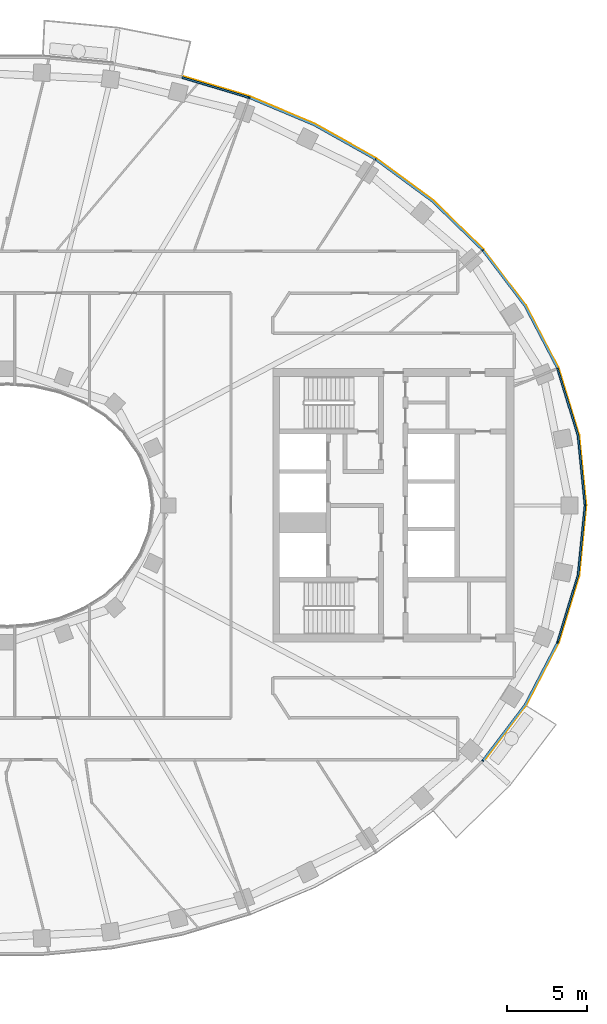
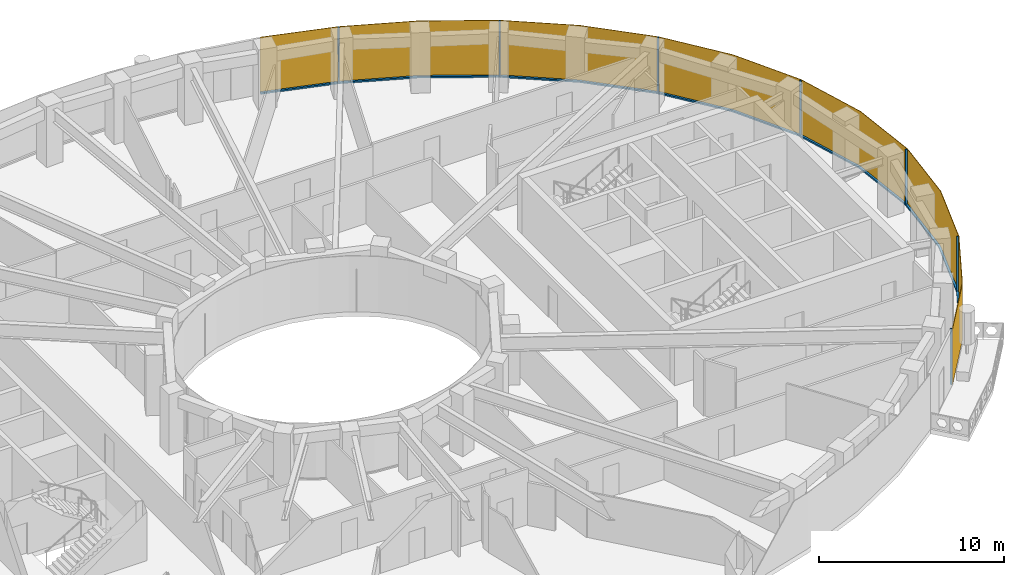
# One storey, part 13 of 16: 14 members, 1 curtain wall.
"""IFC4 building model written with IfcOpenShell, lengths in metres."""

from ifc_helpers import new_model, si_unit, direction, frame, origin, origin_2d, place, context, subcontext, project, spatial, polyline, rectangle, outline, extrude, material, layer, layer_set, material_profile, profile_set, type_object, element, aggregate, save


model = new_model("IFC4")

# Units and contexts
model_context = context("Model", 3, precision=1e-05, world=origin(), true_north=direction((0.0, 1.0)))
body_context = subcontext(model_context, "Body", "Model", "MODEL_VIEW")
ifc_project = project(units=[si_unit("LENGTHUNIT", "METRE"), si_unit("AREAUNIT", "SQUARE_METRE"), si_unit("VOLUMEUNIT", "CUBIC_METRE"), si_unit("PLANEANGLEUNIT", "RADIAN"), si_unit("MASSUNIT", "GRAM", prefix="KILO")], contexts=[model_context])

# Member
ifc_material_1 = material(Name="Aluminium 6063-T6 black anodised", Category="aluminium")
ifc_material_profile = material_profile(ifc_material_1, rectangle(XDim=0.1201171875, YDim=0.06005859375, at=origin_2d()), Name="120x60")
ifc_profile_set = profile_set([ifc_material_profile], Name="Aluminium 6063-T6 black anodised")
member_type_1 = type_object("IfcMemberType", Name="ENV-MULLION-A-120", PredefinedType="MULLION", material=ifc_profile_set)
site_placement = place(None, origin())
building_placement = place(site_placement, origin())
storey_placement = place(building_placement, frame((0.0, 0.0, 273.5)))
member_1_placement = place(storey_placement, frame((29.53857421875, -15.8671875, 0.0), z_axis=(0.0, 0.0, 1.0), x_axis=(-0.749047221705, 0.662516610853, 0.0)))
member_1 = element("IfcMember", 1, at=member_1_placement, type_object=member_type_1, Name="Mullion A radial 43", PredefinedType="MULLION", context=body_context, shape_type="SweptSolid", body=[
    extrude(rectangle(XDim=0.1201171875, YDim=0.06005859375, at=origin_2d()), origin(), (0.0, 0.0, 1.0), 3.699951171875),
])

member_2_placement = place(storey_placement, frame((34.19580078125, -8.513916015625, 0.0), z_axis=(0.0, 0.0, 1.0), x_axis=(-0.92546738067, 0.378827305398, 0.0)))
member_2 = element("IfcMember", 2, at=member_2_placement, type_object=member_type_1, Name="Mullion A radial 45", PredefinedType="MULLION", context=body_context, shape_type="SweptSolid", body=[
    extrude(rectangle(XDim=0.1201171875, YDim=0.06005859375, at=origin_2d()), origin(), (0.0, 0.0, 1.0), 3.699951171875),
])

member_3_placement = place(storey_placement, frame((35.907958984375, 0.0, 0.0), z_axis=(0.0, 0.0, 1.0), x_axis=(-1.0, 0.0, 0.0)))
member_3 = element("IfcMember", 3, at=member_3_placement, type_object=member_type_1, Name="Mullion A radial 01", PredefinedType="MULLION", context=body_context, shape_type="SweptSolid", body=[
    extrude(rectangle(XDim=0.1201171875, YDim=0.06005859375, at=origin_2d()), origin(), (0.0, 0.0, 1.0), 3.699951171875),
])

member_4_placement = place(storey_placement, frame((34.19580078125, 8.513916015625, 0.0), z_axis=(0.0, 0.0, 1.0), x_axis=(-0.92546738067, -0.378827305398, 0.0)))
member_4 = element("IfcMember", 4, at=member_4_placement, type_object=member_type_1, Name="Mullion A radial 03", PredefinedType="MULLION", context=body_context, shape_type="SweptSolid", body=[
    extrude(rectangle(XDim=0.1201171875, YDim=0.06005859375, at=origin_2d()), origin(), (0.0, 0.0, 1.0), 3.699951171875),
])

member_5_placement = place(storey_placement, frame((29.53857421875, 15.8671875, 0.0), z_axis=(0.0, 0.0, 1.0), x_axis=(-0.749047221705, -0.662516610853, 0.0)))
member_5 = element("IfcMember", 5, at=member_5_placement, type_object=member_type_1, Name="Mullion A radial 05", PredefinedType="MULLION", context=body_context, shape_type="SweptSolid", body=[
    extrude(rectangle(XDim=0.1201171875, YDim=0.06005859375, at=origin_2d()), origin(), (0.0, 0.0, 1.0), 3.699951171875),
])

member_6_placement = place(storey_placement, frame((22.882568359375, 21.506591796875, 0.0), z_axis=(0.0, 0.0, 1.0), x_axis=(-0.542279153225, -0.840198381323, 0.0)))
member_6 = element("IfcMember", 6, at=member_6_placement, type_object=member_type_1, Name="Mullion A radial 07", PredefinedType="MULLION", context=body_context, shape_type="SweptSolid", body=[
    extrude(rectangle(XDim=0.1201171875, YDim=0.06005859375, at=origin_2d()), origin(), (0.0, 0.0, 1.0), 3.699951171875),
])

member_7_placement = place(storey_placement, frame((15.0341796875, 25.34375, 0.0), z_axis=(0.0, 0.0, 1.0), x_axis=(-0.338379256581, -0.941009818608, 0.0)))
member_7 = element("IfcMember", 7, at=member_7_placement, type_object=member_type_1, Name="Mullion A radial 09", PredefinedType="MULLION", context=body_context, shape_type="SweptSolid", body=[
    extrude(rectangle(XDim=0.1201171875, YDim=0.06005859375, at=origin_2d()), origin(), (0.0, 0.0, 1.0), 3.699951171875),
])

ifc_material_2 = material(Name="Aluminium 6063-T6 black anodised", Category="aluminium")
member_type_2 = type_object("IfcMemberType", Name="ENV-TRANSOM-A", PredefinedType="USERDEFINED", material=ifc_material_2)
member_8_placement = place(storey_placement, origin())
member_8 = element("IfcMember", 8, at=member_8_placement, type_object=member_type_2, Name="Transom A radial 43-45", ObjectType="TRANSOM", PredefinedType="USERDEFINED", context=body_context, shape_type="SweptSolid", body=[
    extrude(outline(polyline([(29.6005859375, -15.884521484375), (32.22802734375, -12.41748046875), (34.23828125, -8.5615234375), (34.126708984375, -8.515869140625), (32.126220703125, -12.35302734375), (29.51025390625, -15.8046875), (29.6005859375, -15.884521484375)])), origin(), (0.0, 0.0, 1.0), 0.10009765625),
])

member_9_placement = place(storey_placement, origin())
member_9 = element("IfcMember", 9, at=member_9_placement, type_object=member_type_2, Name="Transom A radial 45-01", ObjectType="TRANSOM", PredefinedType="USERDEFINED", context=body_context, shape_type="SweptSolid", body=[
    extrude(outline(polyline([(34.259521484375, -8.509765625), (35.529541015625, -4.352294921875), (35.965087890625, -0.02783203125), (35.844482421875, -0.02783203125), (35.411376953125, -4.32861328125), (34.14794921875, -8.464111328125), (34.259521484375, -8.509765625)])), origin(), (0.0, 0.0, 1.0), 0.10009765625),
])

member_10_placement = place(storey_placement, origin())
member_10 = element("IfcMember", 10, at=member_10_placement, type_object=member_type_2, Name="Transom A radial 01-03", ObjectType="TRANSOM", PredefinedType="USERDEFINED", context=body_context, shape_type="SweptSolid", body=[
    extrude(outline(polyline([(35.965087890625, 0.02783203125), (35.529541015625, 4.352294921875), (34.259521484375, 8.509765625), (34.14794921875, 8.464111328125), (35.411376953125, 4.32861328125), (35.844482421875, 0.02783203125), (35.965087890625, 0.02783203125)])), origin(), (0.0, 0.0, 1.0), 0.10009765625),
])

member_11_placement = place(storey_placement, origin())
member_11 = element("IfcMember", 11, at=member_11_placement, type_object=member_type_2, Name="Transom A radial 03-05", ObjectType="TRANSOM", PredefinedType="USERDEFINED", context=body_context, shape_type="SweptSolid", body=[
    extrude(outline(polyline([(34.23828125, 8.5615234375), (32.22802734375, 12.41748046875), (29.6005859375, 15.884521484375), (29.51025390625, 15.8046875), (32.126220703125, 12.35302734375), (34.126708984375, 8.515869140625), (34.23828125, 8.5615234375)])), origin(), (0.0, 0.0, 1.0), 0.10009765625),
])

member_12_placement = place(storey_placement, origin())
member_12 = element("IfcMember", 12, at=member_12_placement, type_object=member_type_2, Name="Transom A radial 05-07", ObjectType="TRANSOM", PredefinedType="USERDEFINED", context=body_context, shape_type="SweptSolid", body=[
    extrude(outline(polyline([(29.5634765625, 15.926513671875), (26.4423828125, 18.958740234375), (22.937744140625, 21.540283203125), (22.87255859375, 21.439208984375), (26.364501953125, 18.866943359375), (29.473388671875, 15.8466796875), (29.5634765625, 15.926513671875)])), origin(), (0.0, 0.0, 1.0), 0.10009765625),
])

member_13_placement = place(storey_placement, origin())
member_13 = element("IfcMember", 13, at=member_13_placement, type_object=member_type_2, Name="Transom A radial 07-09", ObjectType="TRANSOM", PredefinedType="USERDEFINED", context=body_context, shape_type="SweptSolid", body=[
    extrude(outline(polyline([(22.890625, 21.570556640625), (19.093994140625, 23.701416015625), (15.080322265625, 25.389404296875), (15.03955078125, 25.276123046875), (19.041259765625, 23.593505859375), (22.825439453125, 21.469482421875), (22.890625, 21.570556640625)])), origin(), (0.0, 0.0, 1.0), 0.10009765625),
])

member_14_placement = place(storey_placement, origin())
member_14 = element("IfcMember", 14, at=member_14_placement, type_object=member_type_2, Name="Transom A radial 09-10", ObjectType="TRANSOM", PredefinedType="USERDEFINED", context=body_context, shape_type="SweptSolid", body=[
    extrude(outline(polyline([(15.027587890625, 25.408203125), (10.876708984375, 26.657470703125), (10.847900390625, 26.540771484375), (14.987060546875, 25.295166015625), (15.027587890625, 25.408203125)])), origin(), (0.0, 0.0, 1.0), 0.10009765625),
])

# Site, building, storey
site = spatial("IfcSite", under=ifc_project, at=site_placement, CompositionType="ELEMENT")
building = spatial("IfcBuilding", under=site, at=building_placement, Name="Noorbagh Ring Tower", CompositionType="ELEMENT")
storey = spatial("IfcBuildingStorey", under=building, at=storey_placement, Name="L58", CompositionType="ELEMENT", Elevation=273.5)

# Curtain wall
ifc_material_3 = material(Name="Glass dark tinted laminated", Category="glass")
ifc_layer = layer(ifc_material_3, 0.031982421875)
ifc_layer_set = layer_set([ifc_layer], Name="Glass dark tinted laminated")
curtain_wall_type = type_object("IfcCurtainWallType", Name="ENV-CW-A", PredefinedType="NOTDEFINED", material=ifc_layer_set)
curtain_wall_placement = place(storey_placement, origin())
curtain_wall = element("IfcCurtainWall", 15, at=curtain_wall_placement, inside=storey, type_object=curtain_wall_type, Name="Curtain wall A R43", PredefinedType="NOTDEFINED", context=body_context, shape_type="SweptSolid", body=[
    extrude(outline(polyline([(29.61962890625, -15.912109375), (32.255126953125, -12.434814453125), (34.281005859375, -8.548828125), (35.561279296875, -4.358642578125), (36.0, 0.0), (35.561279296875, 4.358642578125), (34.281005859375, 8.548828125), (32.255126953125, 12.434814453125), (29.607666015625, 15.927978515625), (26.463134765625, 18.9833984375), (22.9326171875, 21.583740234375), (19.108154296875, 23.730224609375), (15.065185546875, 25.430419921875), (10.884521484375, 26.6884765625), (10.876708984375, 26.657470703125), (15.054443359375, 25.400146484375), (19.093994140625, 23.701416015625), (22.9150390625, 21.556884765625), (26.4423828125, 18.958740234375), (29.58349609375, 15.906982421875), (32.22802734375, 12.41748046875), (34.251220703125, 8.53662109375), (35.529541015625, 4.352294921875), (35.9677734375, 0.0), (35.529541015625, -4.352294921875), (34.251220703125, -8.53662109375), (32.22802734375, -12.41748046875), (29.595703125, -15.890869140625), (29.61962890625, -15.912109375)])), origin(), (0.0, 0.0, 1.0), 3.699951171875),
])

aggregate(curtain_wall, [member_1, member_2, member_3, member_4, member_5, member_6, member_7, member_8, member_9, member_10, member_11, member_12, member_13, member_14])

save(model, "model.ifc")
